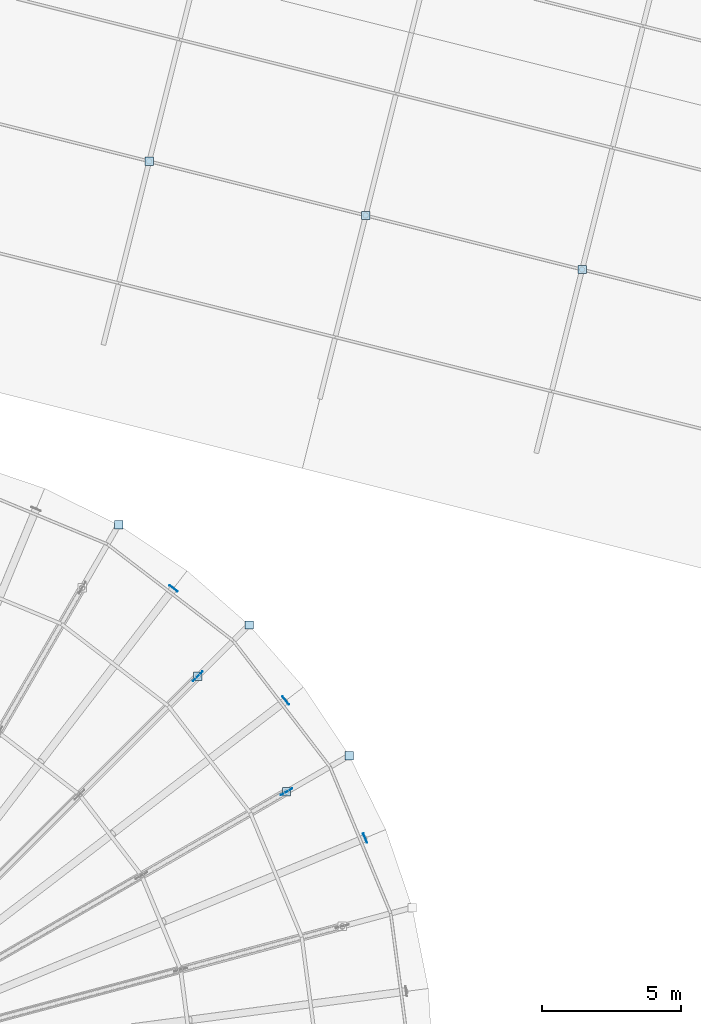
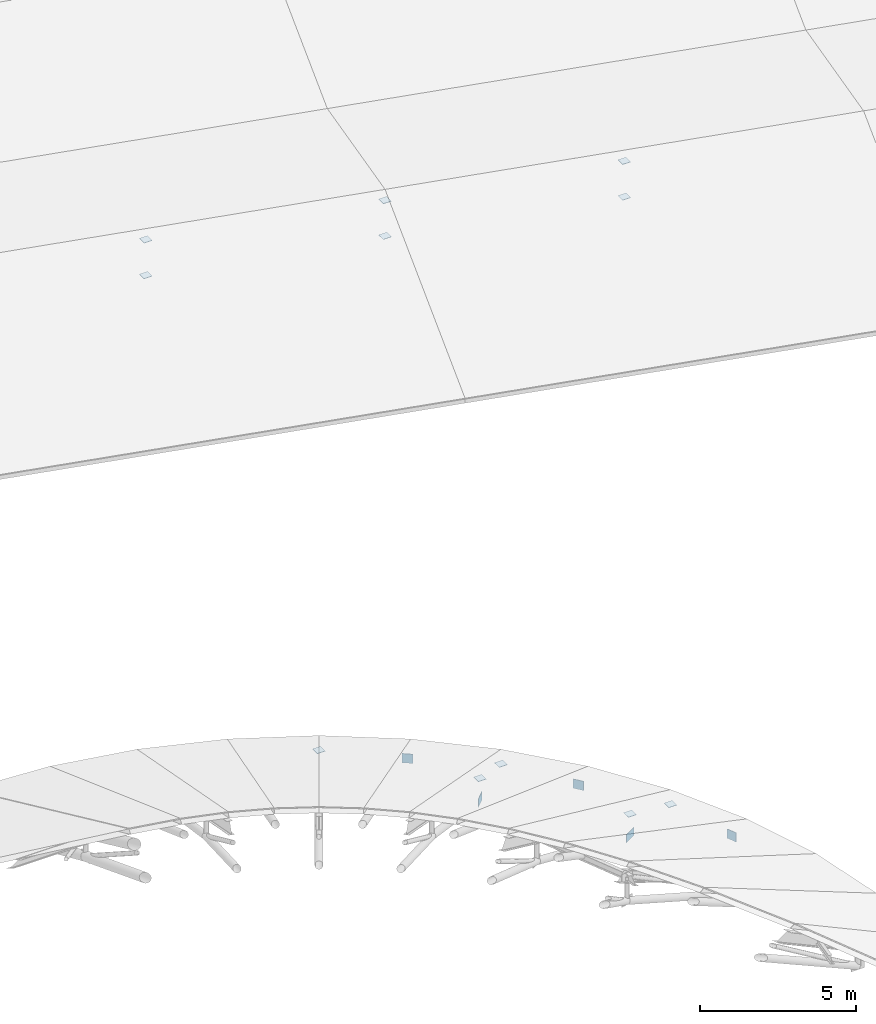
# One storey, part 99 of 107: 16 plates.
"""IFC4 building model written with IfcOpenShell, lengths in metres."""

from ifc_helpers import new_model, si_unit, derived_unit, direction, frame, origin, origin_2d, place, context, subcontext, project, spatial, rectangle, extrude, material, layer, layer_set, type_object, element, save


model = new_model("IFC4")

# Units and contexts
model_context = context("Model", 3, precision=1e-05, world=origin(), true_north=direction((0.0, 1.0)))
body_context = subcontext(model_context, "Body", "Model", "MODEL_VIEW")
ifc_project = project(units=[si_unit("LENGTHUNIT", "METRE"), si_unit("AREAUNIT", "SQUARE_METRE"), si_unit("VOLUMEUNIT", "CUBIC_METRE"), si_unit("PLANEANGLEUNIT", "RADIAN"), si_unit("MASSUNIT", "GRAM", prefix="KILO"), si_unit("THERMODYNAMICTEMPERATUREUNIT", "KELVIN"), si_unit("TIMEUNIT", "SECOND"), derived_unit("THERMALTRANSMITTANCEUNIT", [(si_unit("MASSUNIT", "GRAM", prefix="KILO"), 1), (si_unit("THERMODYNAMICTEMPERATUREUNIT", "KELVIN"), -1), (si_unit("TIMEUNIT", "SECOND"), -3)])], contexts=[model_context])

# Site, building, storey
site_placement = place(None, origin())
site = spatial("IfcSite", under=ifc_project, at=site_placement, CompositionType="ELEMENT")
building_placement = place(site_placement, origin())
building = spatial("IfcBuilding", under=site, at=building_placement, Name="Cambertide Market Hall", CompositionType="ELEMENT")
storey_placement = place(building_placement, frame((0.0, 0.0, 18.300048828125)))
storey = spatial("IfcBuildingStorey", under=building, at=storey_placement, Name="RF", CompositionType="ELEMENT", Elevation=18.300048828125)

# Plates
ifc_material_1 = material(Name="Steel S355", Category="steel")
ifc_layer_1 = layer(ifc_material_1, 0.013916015625, Name="Steel End Cap Plate EC-02")
ifc_layer_set_1 = layer_set([ifc_layer_1], Name="Steel S355")
plate_type_1 = type_object("IfcPlateType", Name="Steel End Cap Plate EC-02", PredefinedType="USERDEFINED", material=ifc_layer_set_1)
for number, where, z_axis, x_axis, name in (
    (1, (124.572265625, 83.300048828125, -10.7529296875), (0.0, 0.0, 1.0), (1.0, 0.0, 0.0), "EC-CONE-E-16"),
    (2, (120.980712890625, 87.980712890625, -10.7529296875), (0.0, 0.0, 1.0), (1.0, 0.0, 0.0), "EC-CONE-E-18"),
    (3, (116.300048828125, 91.572265625, -10.7529296875), (0.0, 0.0, 1.0), (1.0, 0.0, 0.0), "EC-CONE-E-20"),
    (4, (122.320556640625, 82.0, -9.55712890625), (0.0, 0.0, 1.0), (1.0, 0.0, 0.0), "High-Bay Brace Connection End Cap Plate EC-BRN-208"),
    (5, (119.14208984375, 86.14208984375, -9.55712890625), (0.0, 0.0, 1.0), (1.0, 0.0, 0.0), "High-Bay Brace Connection End Cap Plate EC-BRN-214"),
    (6, (117.398193359375, 104.608154296875, -0.4072265625), (0.0, 0.0, 1.0), (1.0, 0.0, 0.0), "High-Bay Brace Connection End Cap Plate EC-BRN-241"),
    (7, (117.398193359375, 104.608154296875, 0.99609375), (0.0, 0.0, 1.0), (1.0, 0.0, 0.0), "High-Bay Brace Connection End Cap Plate EC-BRN-242"),
    (8, (125.159423828125, 102.66796875, -0.4072265625), (0.0, 0.0, 1.0), (1.0, 0.0, 0.0), "High-Bay Brace Connection End Cap Plate EC-BRN-245"),
    (9, (125.159423828125, 102.66796875, 0.99609375), (0.0, 0.0, 1.0), (1.0, 0.0, 0.0), "High-Bay Brace Connection End Cap Plate EC-BRN-246"),
    (10, (132.920654296875, 100.7275390625, -0.4072265625), (0.0, 0.0, 1.0), (1.0, 0.0, 0.0), "High-Bay Brace Connection End Cap Plate EC-BRN-249"),
    (11, (132.920654296875, 100.7275390625, 0.99609375), (0.0, 0.0, 1.0), (1.0, 0.0, 0.0), "High-Bay Brace Connection End Cap Plate EC-BRN-250"),
):
    element("IfcPlate", number, at=place(storey_placement, frame(where, z_axis=z_axis, x_axis=x_axis)), inside=storey, type_object=plate_type_1, Name=name, ObjectType="END CAP PLATE", PredefinedType="USERDEFINED", context=body_context, shape_type="SweptSolid", body=[
        extrude(rectangle(XDim=0.300048828125, YDim=0.300048828125, at=origin_2d()), origin(), (0.0, 0.0, 1.0), 0.013916015625),
    ])
ifc_material_2 = material(Name="Steel S355", Category="steel")
ifc_layer_2 = layer(ifc_material_2, 0.02392578125, Name="Steel End Cap Plate EC-03E")
ifc_layer_set_2 = layer_set([ifc_layer_2], Name="Steel S355")
plate_type_2 = type_object("IfcPlateType", Name="Steel End Cap Plate EC-03E", PredefinedType="USERDEFINED", material=ifc_layer_set_2)
for number, where, z_axis, x_axis, name in (
    (12, (125.140625, 80.342529296875, -10.55810546875), (0.0, 0.0, 1.0), (0.923879532511, 0.382683432365, 0.0), "Eave Rafter End Cap Plate E-15"),
    (13, (122.295166015625, 85.27099609375, -10.55810546875), (0.0, 0.0, 1.0), (0.793353340291, 0.608761429009, 0.0), "Eave Rafter End Cap Plate E-17"),
    (14, (118.27099609375, 89.295166015625, -10.55810546875), (0.0, 0.0, 1.0), (0.608761429009, 0.793353340291, 0.0), "Eave Rafter End Cap Plate E-19"),
):
    element("IfcPlate", number, at=place(storey_placement, frame(where, z_axis=z_axis, x_axis=x_axis)), inside=storey, type_object=plate_type_2, Name=name, ObjectType="END CAP PLATE", PredefinedType="USERDEFINED", context=body_context, shape_type="SweptSolid", body=[
        extrude(rectangle(XDim=0.02392578125, YDim=0.360107421875, at=origin_2d()), origin(), (0.0, 0.0, 1.0), 0.360107421875),
    ])
ifc_material_3 = material(Name="Steel S355", Category="steel")
ifc_layer_3 = layer(ifc_material_3, 0.01806640625, Name="Steel Gusset Plate GP-02")
ifc_layer_set_3 = layer_set([ifc_layer_3], Name="Steel S355")
plate_type_3 = type_object("IfcPlateType", Name="Steel Gusset Plate GP-02", PredefinedType="USERDEFINED", material=ifc_layer_set_3)
for number, where, z_axis, x_axis, name in (
    (15, (122.320556640625, 82.0, -10.5400390625), (0.0, 0.0, 1.0), (-0.866025403784, -0.5, 0.0), "High-Bay Brace Connection Gusset Plate GP-BRN-206"),
    (16, (119.14208984375, 86.14208984375, -10.5400390625), (0.0, 0.0, 1.0), (-0.707106781187, -0.707106781187, 0.0), "High-Bay Brace Connection Gusset Plate GP-BRN-212"),
):
    element("IfcPlate", number, at=place(storey_placement, frame(where, z_axis=z_axis, x_axis=x_axis)), inside=storey, type_object=plate_type_3, Name=name, ObjectType="GUSSET PLATE", PredefinedType="USERDEFINED", context=body_context, shape_type="SweptSolid", body=[
        extrude(rectangle(XDim=0.47998046875, YDim=0.01806640625, at=origin_2d()), origin(), (0.0, 0.0, 1.0), 0.320068359375),
    ])

save(model, "model.ifc")
